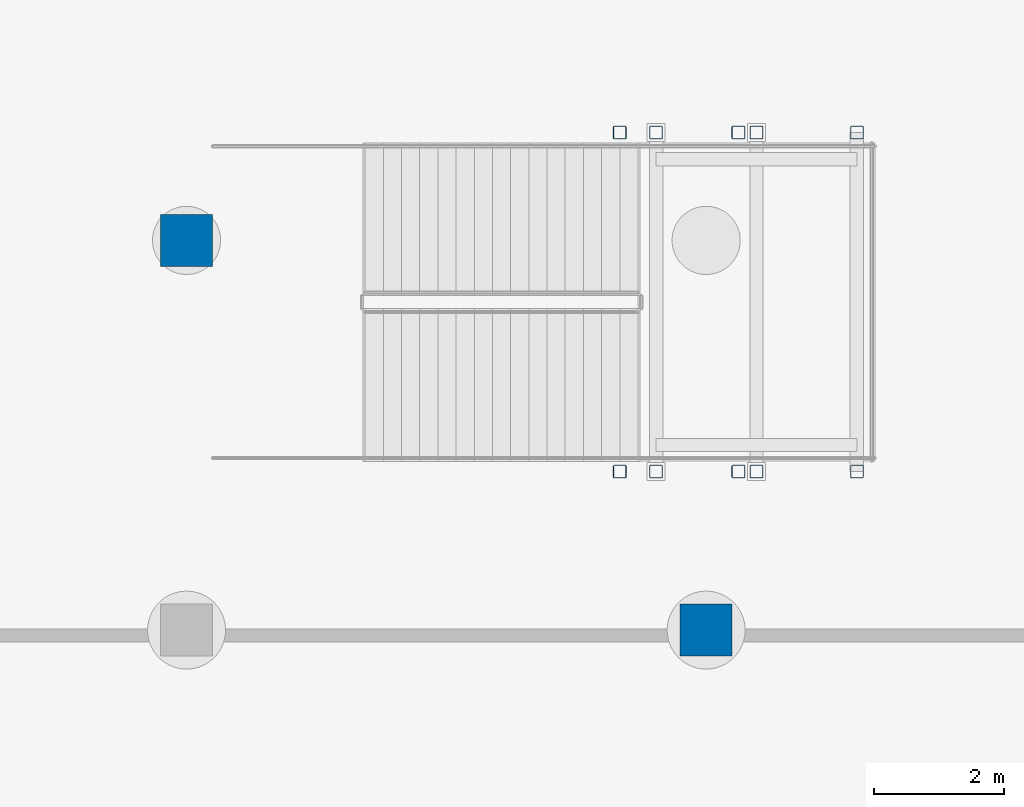
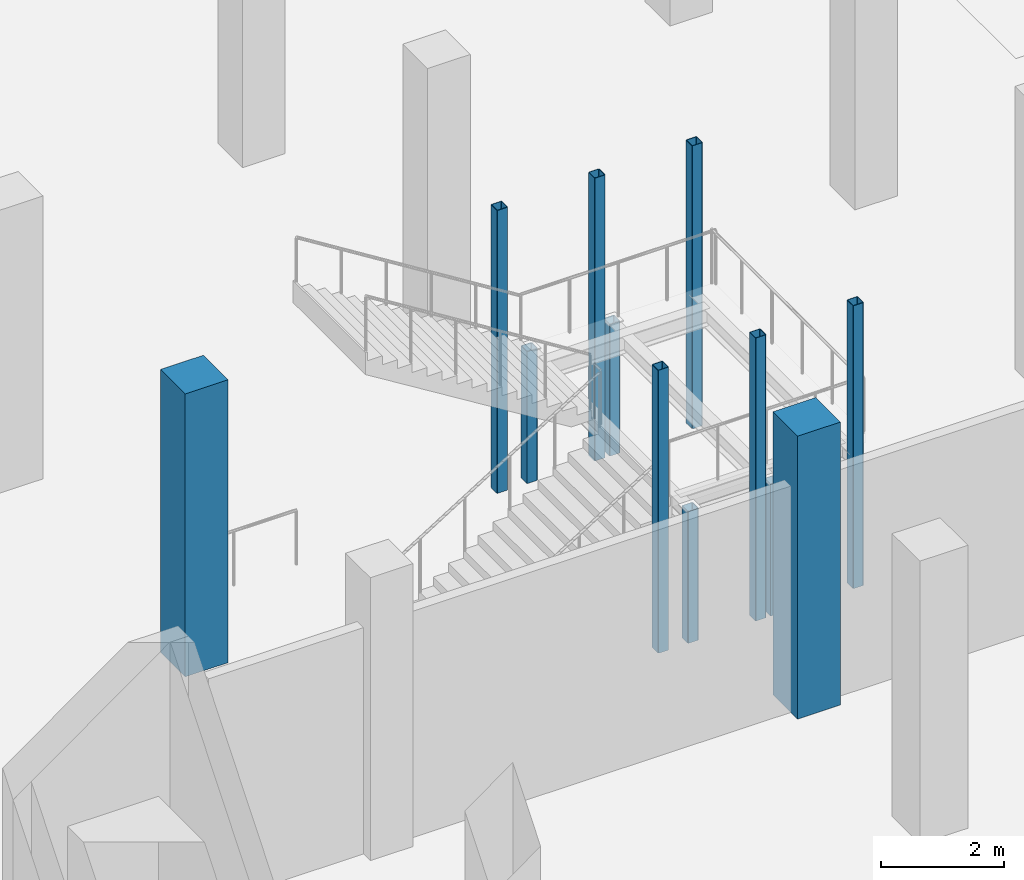
# One storey, part 3 of 26: 12 columns.
"""IFC4 building model written with IfcOpenShell, lengths in metres."""

from ifc_helpers import new_model, si_unit, direction, frame, origin, origin_2d, place, context, subcontext, project, spatial, rectangle, hollow_rectangle, extrude, material, material_profile, profile_set, type_object, element, save


model = new_model("IFC4")

# Units and contexts
model_context = context("Model", 3, precision=1e-05, world=origin(), true_north=direction((0.0, 1.0)))
body_context = subcontext(model_context, "Body", "Model", "MODEL_VIEW")
ifc_project = project(units=[si_unit("LENGTHUNIT", "METRE"), si_unit("AREAUNIT", "SQUARE_METRE"), si_unit("VOLUMEUNIT", "CUBIC_METRE"), si_unit("PLANEANGLEUNIT", "RADIAN"), si_unit("MASSUNIT", "GRAM", prefix="KILO")], contexts=[model_context])

# Site, building, storey
site_placement = place(None, origin())
site = spatial("IfcSite", under=ifc_project, at=site_placement, CompositionType="ELEMENT")
building_placement = place(site_placement, origin())
building = spatial("IfcBuilding", under=site, at=building_placement, Name="Verrall Gate Interchange", CompositionType="ELEMENT")
storey_placement = place(building_placement, frame((0.0, 0.0, -10.39990234375)))
storey = spatial("IfcBuildingStorey", under=building, at=storey_placement, Name="B2", CompositionType="ELEMENT", Elevation=-10.39990234375)

# Columns
ifc_material_1 = material(Name="Concrete CSA A23.1 40 MPa (Class N)", Category="concrete")
ifc_material_profile_1 = material_profile(ifc_material_1, rectangle(XDim=0.800048828125, YDim=0.800048828125, at=origin_2d()), Name="RC800x800")
ifc_profile_set_1 = profile_set([ifc_material_profile_1], Name="Concrete CSA A23.1 40 MPa (Class N)")
column_type_1 = type_object("IfcColumnType", Name="C-02 Column RC800x800", PredefinedType="COLUMN", material=ifc_profile_set_1)
for number, where, z_axis, x_axis, name in (
    (1, (52.0, 22.0, 0.0), (0.0, 0.0, 1.0), (1.0, 0.0, 0.0), "B2 Column COL-B2-0880 (C-02)"),
    (2, (60.0, 16.0, 0.0), (0.0, 0.0, 1.0), (1.0, 0.0, 0.0), "B2 Column COL-B2-0914 (C-02)"),
):
    element("IfcColumn", number, at=place(storey_placement, frame(where, z_axis=z_axis, x_axis=x_axis)), inside=storey, type_object=column_type_1, Name=name, PredefinedType="COLUMN", context=body_context, shape_type="SweptSolid", body=[
        extrude(rectangle(XDim=0.800048828125, YDim=0.800048828125, at=origin_2d()), origin(), (0.0, 0.0, 1.0), 5.599853515625),
    ])
ifc_material_2 = material(Name="Structural Steel CSA G40.21 350W", Category="steel")
ifc_material_profile_2 = material_profile(ifc_material_2, hollow_rectangle(XDim=0.202880859375, YDim=0.202880859375, WallThickness=0.009521484375, InnerFilletRadius=0.009521484375, OuterFilletRadius=0.01904296875, at=origin_2d()), Name="HSS203x203x9.5")
ifc_profile_set_2 = profile_set([ifc_material_profile_2], Name="Structural Steel CSA G40.21 350W")
column_type_2 = type_object("IfcColumnType", Name="C-14 Column HSS203x203x9.5", PredefinedType="COLUMN", material=ifc_profile_set_2)
for number, where, z_axis, x_axis, name in (
    (3, (58.669921875, 18.43994140625, 0.0), (0.0, 0.0, 1.0), (1.0, 0.0, 0.0), "B2 ST-10 Landing Cradle Column"),
    (4, (58.669921875, 23.659912109375, 0.0), (0.0, 0.0, 1.0), (1.0, 0.0, 0.0), "B2 ST-10 Landing Cradle Column"),
):
    element("IfcColumn", number, at=place(storey_placement, frame(where, z_axis=z_axis, x_axis=x_axis)), inside=storey, type_object=column_type_2, Name=name, PredefinedType="COLUMN", context=body_context, shape_type="SweptSolid", body=[
        extrude(hollow_rectangle(XDim=0.202880859375, YDim=0.202880859375, WallThickness=0.009521484375, InnerFilletRadius=0.009521484375, OuterFilletRadius=0.01904296875, at=origin_2d()), origin(), (0.0, 0.0, 1.0), 5.599853515625),
    ])
for number, where, z_axis, x_axis, name in (
    (5, (59.22998046875, 18.43994140625, 0.0), (0.0, 0.0, 1.0), (1.0, 0.0, 0.0), "B2 ST-10 Landing Cradle Column"),
    (6, (59.22998046875, 23.659912109375, 0.0), (0.0, 0.0, 1.0), (1.0, 0.0, 0.0), "B2 ST-10 Landing Cradle Column"),
):
    element("IfcColumn", number, at=place(storey_placement, frame(where, z_axis=z_axis, x_axis=x_axis)), inside=storey, type_object=column_type_2, Name=name, PredefinedType="COLUMN", context=body_context, shape_type="SweptSolid", body=[
        extrude(hollow_rectangle(XDim=0.202880859375, YDim=0.202880859375, WallThickness=0.009521484375, InnerFilletRadius=0.009521484375, OuterFilletRadius=0.01904296875, at=origin_2d()), origin(), (0.0, 0.0, 1.0), 2.60986328125),
    ])
for number, where, z_axis, x_axis, name in (
    (7, (60.4951171875, 18.43994140625, 0.0), (0.0, 0.0, 1.0), (1.0, 0.0, 0.0), "B2 ST-10 Landing Cradle Column"),
    (8, (60.4951171875, 23.659912109375, 0.0), (0.0, 0.0, 1.0), (1.0, 0.0, 0.0), "B2 ST-10 Landing Cradle Column"),
):
    element("IfcColumn", number, at=place(storey_placement, frame(where, z_axis=z_axis, x_axis=x_axis)), inside=storey, type_object=column_type_2, Name=name, PredefinedType="COLUMN", context=body_context, shape_type="SweptSolid", body=[
        extrude(hollow_rectangle(XDim=0.202880859375, YDim=0.202880859375, WallThickness=0.009521484375, InnerFilletRadius=0.009521484375, OuterFilletRadius=0.01904296875, at=origin_2d()), origin(), (0.0, 0.0, 1.0), 5.599853515625),
    ])
for number, where, z_axis, x_axis, name in (
    (9, (60.77490234375, 18.43994140625, 0.0), (0.0, 0.0, 1.0), (1.0, 0.0, 0.0), "B2 ST-10 Landing Cradle Column"),
    (10, (60.77490234375, 23.659912109375, 0.0), (0.0, 0.0, 1.0), (1.0, 0.0, 0.0), "B2 ST-10 Landing Cradle Column"),
):
    element("IfcColumn", number, at=place(storey_placement, frame(where, z_axis=z_axis, x_axis=x_axis)), inside=storey, type_object=column_type_2, Name=name, PredefinedType="COLUMN", context=body_context, shape_type="SweptSolid", body=[
        extrude(hollow_rectangle(XDim=0.202880859375, YDim=0.202880859375, WallThickness=0.009521484375, InnerFilletRadius=0.009521484375, OuterFilletRadius=0.01904296875, at=origin_2d()), origin(), (0.0, 0.0, 1.0), 2.60986328125),
    ])
for number, where, z_axis, x_axis, name in (
    (11, (62.320068359375, 18.43994140625, 0.0), (0.0, 0.0, 1.0), (1.0, 0.0, 0.0), "B2 ST-10 Landing Cradle Column"),
    (12, (62.320068359375, 23.659912109375, 0.0), (0.0, 0.0, 1.0), (1.0, 0.0, 0.0), "B2 ST-10 Landing Cradle Column"),
):
    element("IfcColumn", number, at=place(storey_placement, frame(where, z_axis=z_axis, x_axis=x_axis)), inside=storey, type_object=column_type_2, Name=name, PredefinedType="COLUMN", context=body_context, shape_type="SweptSolid", body=[
        extrude(hollow_rectangle(XDim=0.202880859375, YDim=0.202880859375, WallThickness=0.009521484375, InnerFilletRadius=0.009521484375, OuterFilletRadius=0.01904296875, at=origin_2d()), origin(), (0.0, 0.0, 1.0), 5.599853515625),
    ])

save(model, "model.ifc")
